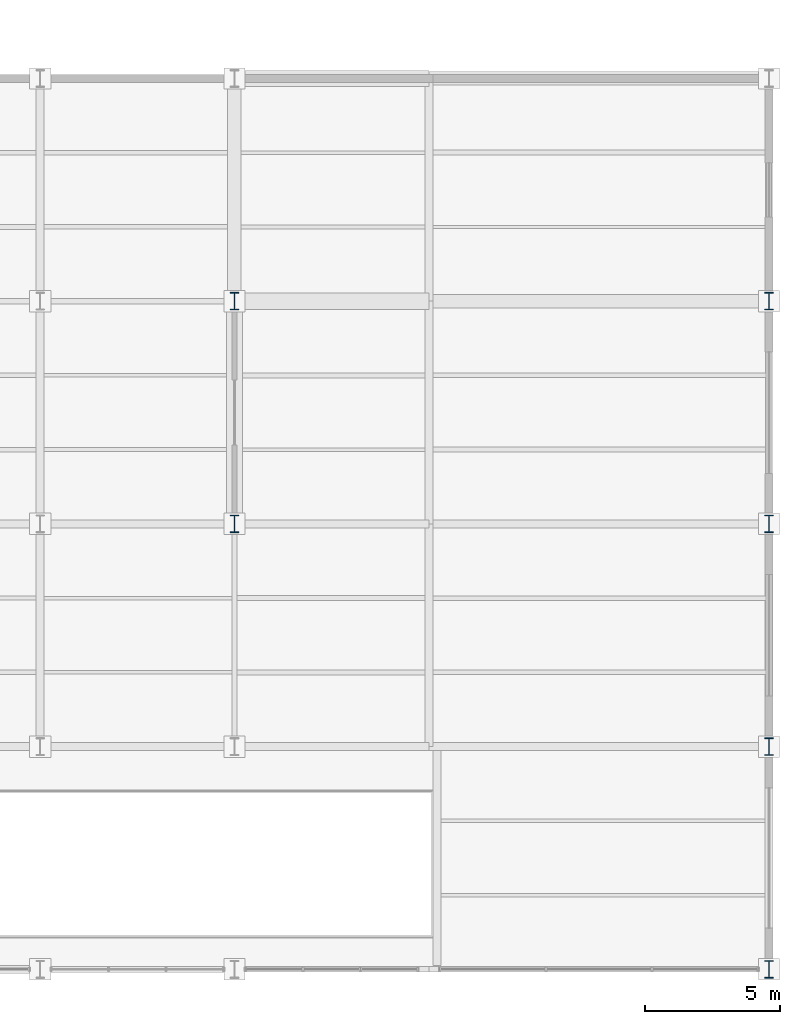
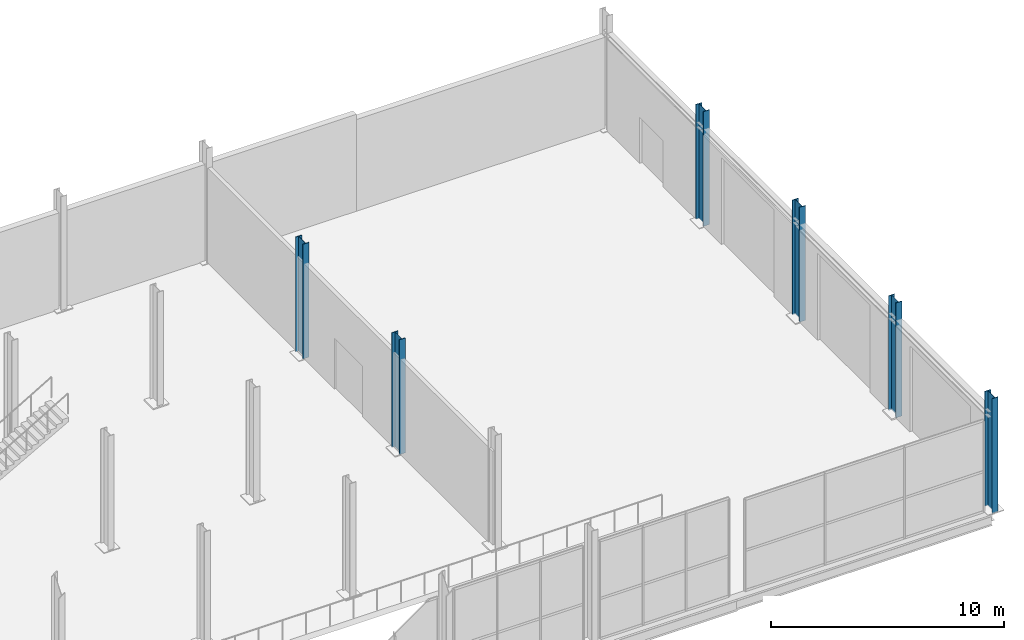
# One storey, part 12 of 144: 6 columns.
"""IFC4 building model written with IfcOpenShell, lengths in metres."""

from ifc_helpers import new_model, si_unit, direction, frame, origin, origin_2d, place, context, subcontext, project, spatial, i_section, extrude, material, material_profile, profile_set, type_object, element, save


model = new_model("IFC4")

# Units and contexts
model_context = context("Model", 3, precision=1e-05, world=origin(), true_north=direction((0.0, 1.0)))
body_context = subcontext(model_context, "Body", "Model", "MODEL_VIEW")
ifc_project = project(units=[si_unit("LENGTHUNIT", "METRE"), si_unit("AREAUNIT", "SQUARE_METRE"), si_unit("VOLUMEUNIT", "CUBIC_METRE"), si_unit("PLANEANGLEUNIT", "RADIAN"), si_unit("MASSUNIT", "GRAM", prefix="KILO")], contexts=[model_context])

# Site, building, storey
site_placement = place(None, origin())
site = spatial("IfcSite", under=ifc_project, at=site_placement, CompositionType="ELEMENT")
building_placement = place(site_placement, origin())
building = spatial("IfcBuilding", under=site, at=building_placement, Name="Sundgate Opera House", CompositionType="ELEMENT")
storey_placement = place(building_placement, origin())
storey = spatial("IfcBuildingStorey", under=building, at=storey_placement, Name="L00", CompositionType="ELEMENT", Elevation=0.0)

# Columns
ifc_material = material(Name="Steel S355J2", Category="steel")
ifc_material_profile = material_profile(ifc_material, i_section(OverallWidth=0.300048828125, OverallDepth=0.64990234375, WebThickness=0.01611328125, FlangeThickness=0.031005859375, at=origin_2d()), Name="HEB 650")
ifc_profile_set = profile_set([ifc_material_profile], Name="Steel S355J2")
column_type = type_object("IfcColumnType", Name="CL-STL-650", PredefinedType="COLUMN", material=ifc_profile_set)
for number, where, z_axis, x_axis, name in (
    (1, (160.199951171875, 16.5, 0.0), (0.0, 0.0, 1.0), (1.0, 0.0, 0.0), "L00 Column C1156"),
    (2, (160.199951171875, 24.75, 0.0), (0.0, 0.0, 1.0), (1.0, 0.0, 0.0), "L00 Column C1159"),
    (3, (180.0, 0.0, 0.0), (0.0, 0.0, 1.0), (1.0, 0.0, 0.0), "L00 Column C1226"),
    (4, (180.0, 8.25, 0.0), (0.0, 0.0, 1.0), (1.0, 0.0, 0.0), "L00 Column C1228"),
    (5, (180.0, 16.5, 0.0), (0.0, 0.0, 1.0), (1.0, 0.0, 0.0), "L00 Column C1230"),
    (6, (180.0, 24.75, 0.0), (0.0, 0.0, 1.0), (1.0, 0.0, 0.0), "L00 Column C1232"),
):
    element("IfcColumn", number, at=place(storey_placement, frame(where, z_axis=z_axis, x_axis=x_axis)), inside=storey, type_object=column_type, Name=name, PredefinedType="COLUMN", context=body_context, shape_type="SweptSolid", body=[
        extrude(i_section(OverallWidth=0.300048828125, OverallDepth=0.64990234375, WebThickness=0.01611328125, FlangeThickness=0.031005859375, at=origin_2d()), origin(), (0.0, 0.0, 1.0), 6.0),
    ])

save(model, "model.ifc")
